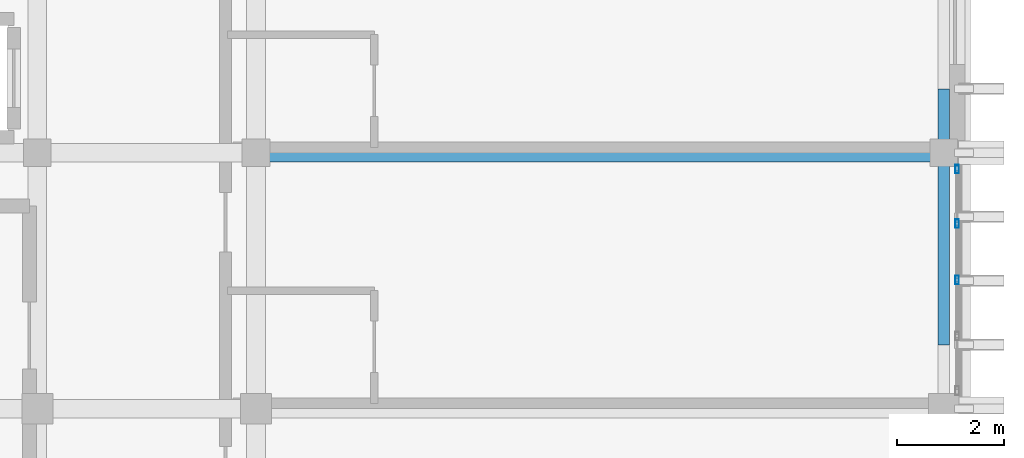
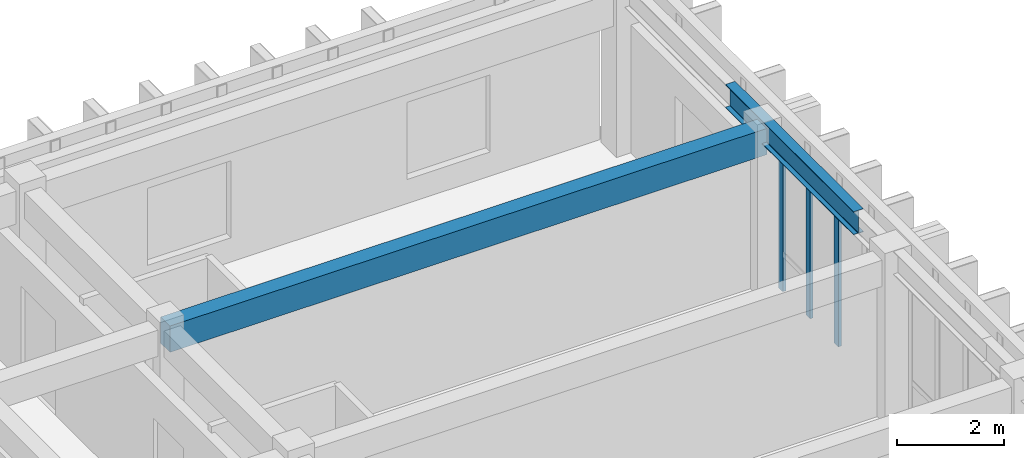
# One storey, part 33 of 49: 3 members, 2 beams, 1 element without a shape of its own.
"""IFC4 building model written with IfcOpenShell, lengths in metres."""

from ifc_helpers import new_model, si_unit, direction, frame, origin, origin_2d, place, context, subcontext, project, spatial, rectangle, hollow_rectangle, i_section, extrude, material, layer, layer_set, material_profile, profile_set, type_object, element, aggregate, save


model = new_model("IFC4")

# Units and contexts
model_context = context("Model", 3, precision=1e-05, world=origin(), true_north=direction((0.0, 1.0)))
body_context = subcontext(model_context, "Body", "Model", "MODEL_VIEW")
ifc_project = project(units=[si_unit("LENGTHUNIT", "METRE"), si_unit("AREAUNIT", "SQUARE_METRE"), si_unit("VOLUMEUNIT", "CUBIC_METRE"), si_unit("PLANEANGLEUNIT", "RADIAN"), si_unit("MASSUNIT", "GRAM", prefix="KILO")], contexts=[model_context])

# Site, building, storey
site_placement = place(None, origin())
site = spatial("IfcSite", under=ifc_project, at=site_placement, CompositionType="ELEMENT")
building_placement = place(site_placement, origin())
building = spatial("IfcBuilding", under=site, at=building_placement, Name="Nakhvara Creek Congress Hotel", CompositionType="ELEMENT")
storey_placement = place(building_placement, frame((0.0, 0.0, 46.5)))
storey = spatial("IfcBuildingStorey", under=building, at=storey_placement, Name="L11", CompositionType="ELEMENT", Elevation=46.5)

# Beams
ifc_material_1 = material(Name="Concrete C40/50", Category="concrete")
ifc_material_profile_1 = material_profile(ifc_material_1, rectangle(XDim=0.35009765625, YDim=0.60009765625, at=origin_2d()), Name="RC-BM 350x600", Category="LoadBearing")
ifc_profile_set_1 = profile_set([ifc_material_profile_1], Name="Concrete C40/50")
beam_type_1 = type_object("IfcBeamType", Name="BM-RC-350X600", PredefinedType="BEAM", material=ifc_profile_set_1)
beam_1_placement = place(storey_placement, frame((166.449951171875, 120.0, 3.3798828125), z_axis=(1.0, 0.0, 0.0), x_axis=(0.0, 1.0, 0.0)))
element("IfcBeam", 1, at=beam_1_placement, inside=storey, type_object=beam_type_1, Name="Beam B07-L11-2780", PredefinedType="BEAM", context=body_context, shape_type="SweptSolid", body=[
    extrude(rectangle(XDim=0.35009765625, YDim=0.60009765625, at=origin_2d()), origin(), (0.0, 0.0, 1.0), 12.900146484375),
])
ifc_material_2 = material(Name="Steel S355J2", Category="steel")
ifc_material_profile_2 = material_profile(ifc_material_2, i_section(OverallWidth=0.209228515625, OverallDepth=0.533203125, WebThickness=0.010009765625, FlangeThickness=0.015625, FilletRadius=0.0126953125, at=origin_2d()), Name="UB 533x210x92", Category="LoadBearing")
ifc_profile_set_2 = profile_set([ifc_material_profile_2], Name="Steel S355J2")
beam_type_2 = type_object("IfcBeamType", Name="BM-ST-UB533", PredefinedType="BEAM", material=ifc_profile_set_2)
beam_2_placement = place(storey_placement, frame((179.35009765625, 116.39990234375, 3.6201171875), z_axis=(0.0, 1.0, 0.0), x_axis=(-1.0, 0.0, 0.0)))
element("IfcBeam", 2, at=beam_2_placement, inside=storey, type_object=beam_type_2, Name="Hotel Gable Eave Beam E-10", PredefinedType="BEAM", context=body_context, shape_type="SweptSolid", body=[
    extrude(i_section(OverallWidth=0.209228515625, OverallDepth=0.533203125, WebThickness=0.010009765625, FlangeThickness=0.015625, FilletRadius=0.0126953125, at=origin_2d()), origin(), (0.0, 0.0, 1.0), 4.800048828125),
])

# Curtain wall, members
ifc_material_3 = material(Name="Bronze-anodised aluminium AW-6063-T6 and double-silver low-E glass", Category="aluminium")
ifc_layer = layer(ifc_material_3, 0.199951171875)
ifc_layer_set = layer_set([ifc_layer], Name="Bronze-anodised aluminium AW-6063-T6 and double-silver low-E glass")
curtain_wall_type = type_object("IfcCurtainWallType", Name="CW-HTL-UNIT", PredefinedType="USERDEFINED", material=ifc_layer_set)
curtain_wall_placement = place(storey_placement, origin())
curtain_wall = element("IfcCurtainWall", 3, at=curtain_wall_placement, inside=storey, type_object=curtain_wall_type, Name="Curtain Wall CW346", ObjectType="UNITISED", PredefinedType="USERDEFINED")
ifc_material_4 = material(Name="Bronze-anodised aluminium AW-6063-T6", Category="aluminium")
ifc_material_profile_3 = material_profile(ifc_material_4, hollow_rectangle(XDim=0.06494140625, YDim=0.159912109375, WallThickness=0.00390625, at=origin_2d()), Name="ALU-MULL 65x160x4", Category="LoadBearing")
ifc_profile_set_3 = profile_set([ifc_material_profile_3], Name="Bronze-anodised aluminium AW-6063-T6")
member_type = type_object("IfcMemberType", Name="CW-MULL-160", PredefinedType="MULLION", material=ifc_profile_set_3)
member_1_placement = place(storey_placement, frame((179.60009765625, 119.6923828125, 0.0), z_axis=(0.0, 0.0, 1.0), x_axis=(1.0, 0.0, 0.0)))
member_1 = element("IfcMember", 4, at=member_1_placement, type_object=member_type, Name="CW346 mullion 1", PredefinedType="MULLION", context=body_context, shape_type="SweptSolid", body=[
    extrude(hollow_rectangle(XDim=0.06494140625, YDim=0.159912109375, WallThickness=0.00390625, at=origin_2d()), origin(), (0.0, 0.0, 1.0), 3.072021484375),
])
member_2_placement = place(storey_placement, frame((179.60009765625, 118.669921875, 0.0), z_axis=(0.0, 0.0, 1.0), x_axis=(1.0, 0.0, 0.0)))
member_2 = element("IfcMember", 5, at=member_2_placement, type_object=member_type, Name="CW346 mullion 2", PredefinedType="MULLION", context=body_context, shape_type="SweptSolid", body=[
    extrude(hollow_rectangle(XDim=0.06494140625, YDim=0.159912109375, WallThickness=0.00390625, at=origin_2d()), origin(), (0.0, 0.0, 1.0), 3.072021484375),
])
member_3_placement = place(storey_placement, frame((179.60009765625, 117.614990234375, 0.0), z_axis=(0.0, 0.0, 1.0), x_axis=(1.0, 0.0, 0.0)))
member_3 = element("IfcMember", 6, at=member_3_placement, type_object=member_type, Name="CW346 mullion 3", PredefinedType="MULLION", context=body_context, shape_type="SweptSolid", body=[
    extrude(hollow_rectangle(XDim=0.06494140625, YDim=0.159912109375, WallThickness=0.00390625, at=origin_2d()), origin(), (0.0, 0.0, 1.0), 3.072021484375),
])
aggregate(curtain_wall, [member_1, member_2, member_3])

save(model, "model.ifc")
